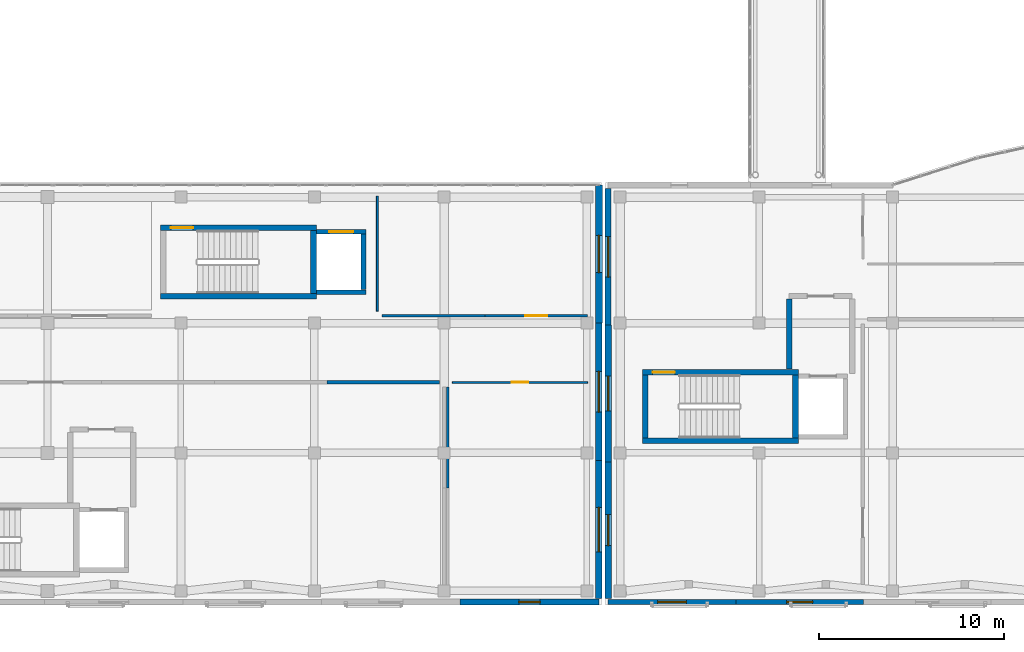
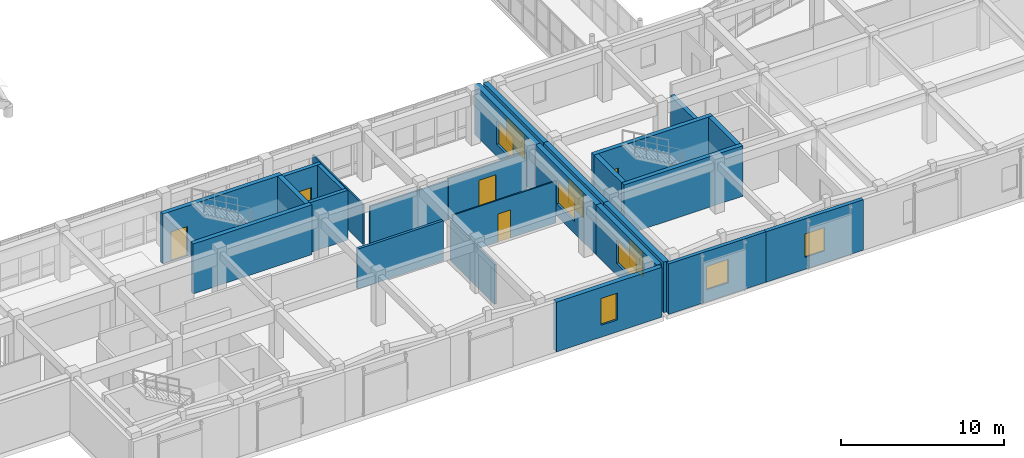
# One storey, part 131 of 146: 26 walls, 9 windows, 5 doors, 14 openings.
"""IFC4 building model written with IfcOpenShell, lengths in metres."""

from ifc_helpers import new_model, si_unit, direction, frame, frame_2d, origin, place, context, subcontext, project, spatial, rectangle, extrude, material, layer, layer_set, type_object, element, fill, save


model = new_model("IFC4")

# Units and contexts
model_context = context("Model", 3, precision=1e-05, world=origin(), true_north=direction((0.0, 1.0)))
body_context = subcontext(model_context, "Body", "Model", "MODEL_VIEW")
ifc_project = project(units=[si_unit("LENGTHUNIT", "METRE"), si_unit("AREAUNIT", "SQUARE_METRE"), si_unit("VOLUMEUNIT", "CUBIC_METRE"), si_unit("PLANEANGLEUNIT", "RADIAN"), si_unit("MASSUNIT", "GRAM", prefix="KILO")], contexts=[model_context])

# Site, building, storey
site_placement = place(None, origin())
site = spatial("IfcSite", under=ifc_project, at=site_placement, CompositionType="ELEMENT")
building_placement = place(site_placement, origin())
building = spatial("IfcBuilding", under=site, at=building_placement, Name="Valcora Specialist Clinic", CompositionType="ELEMENT")
storey_placement = place(building_placement, frame((0.0, 0.0, 9.52001953125)))
storey = spatial("IfcBuildingStorey", under=building, at=storey_placement, Name="L02", CompositionType="ELEMENT", Elevation=9.52001953125)

# Walls
ifc_material_1 = material(Name="Concrete C40/50", Category="concrete")
ifc_layer_1 = layer(ifc_material_1, 0.284912109375)
ifc_layer_set_1 = layer_set([ifc_layer_1], Name="Concrete C40/50")
wall_type_1 = type_object("IfcWallType", Name="TY-WL-CR285", PredefinedType="SHEAR", material=ifc_layer_set_1)
wall_1_placement = place(storey_placement, frame((63.419921875, 12.719970703125, 0.0), z_axis=(0.0, 0.0, 1.0), x_axis=(0.0, 1.0, 0.0)))
element("IfcWall", 1, at=wall_1_placement, inside=storey, type_object=wall_type_1, Name="Firefighting lobby west wall", PredefinedType="SHEAR", context=body_context, shape_type="SweptSolid", body=[
    extrude(rectangle(XDim=3.7900390625, YDim=0.284912109375, at=frame_2d((1.89501953125, 0.0))), origin(), (0.0, 0.0, 1.0), 3.030029296875),
])
ifc_layer_2 = layer(ifc_material_1, 0.300048828125)
ifc_layer_set_2 = layer_set([ifc_layer_2], Name="Concrete C40/50")
wall_type_2 = type_object("IfcWallType", Name="TY-WL-CR300", PredefinedType="SHEAR", material=ifc_layer_set_2)
wall_2_placement = place(storey_placement, frame((29.5, 16.64990234375, 0.0), z_axis=(0.0, 0.0, 1.0), x_axis=(1.0, 0.0, 0.0)))
element("IfcWall", 2, at=wall_2_placement, inside=storey, type_object=wall_type_2, Name="Core shear wall WL-CR-C-V5B-L02-S", PredefinedType="SHEAR", context=body_context, shape_type="SweptSolid", body=[
    extrude(rectangle(XDim=8.419921875, YDim=0.300048828125, at=frame_2d((4.2099609375, 0.0))), origin(), (0.0, 0.0, 1.0), 3.73486328125),
])

# Wall, opening, door
wall_3_placement = place(storey_placement, frame((29.5, 20.35009765625, 0.0), z_axis=(0.0, 0.0, 1.0), x_axis=(1.0, 0.0, 0.0)))
wall_3 = element("IfcWall", 3, at=wall_3_placement, inside=storey, type_object=wall_type_2, Name="Core shear wall WL-CR-C-V5B-L02-N", PredefinedType="SHEAR", context=body_context, shape_type="SweptSolid", body=[
    extrude(rectangle(XDim=8.419921875, YDim=0.300048828125, at=frame_2d((4.2099609375, 0.0))), origin(), (0.0, 0.0, 1.0), 3.73486328125),
])
opening_1_placement = place(wall_3_placement, frame((0.550048828125, 0.0, 0.0)))
opening_1 = element("IfcOpeningElement", 4, at=opening_1_placement, cuts=wall_3, Name="Opening DR-FD-120", PredefinedType="OPENING", context=body_context, shape_type="SweptSolid", body=[
    extrude(rectangle(XDim=1.199951171875, YDim=2.199951171875, at=frame_2d((0.60009765625, 1.10009765625))), frame((0.0, 0.159912109375, 0.0), z_axis=(0.0, -1.0, 0.0), x_axis=(1.0, 0.0, 0.0)), (0.0, 0.0, 1.0), 0.320068359375),
])
ifc_material_2 = material(Name="Galvanized Hollow Metal Door Steel ASTM A653", Category="steel")
door_type_1 = type_object("IfcDoorType", Name="TY-DR-ST120", OperationType="NOTDEFINED", PredefinedType="DOOR", material=ifc_material_2)
door_1_placement = place(opening_1_placement, origin())
door_1 = element("IfcDoor", 5, at=door_1_placement, inside=storey, type_object=door_type_1, Name="Exit stair fire door C-V5B L02", OperationType="SINGLE_SWING_LEFT", OverallHeight=2.199951171875, OverallWidth=1.199951171875, PredefinedType="DOOR", context=body_context, shape_type="SweptSolid", body=[
    extrude(rectangle(XDim=1.199951171875, YDim=2.199951171875, at=frame_2d((0.60009765625, 1.10009765625))), frame((0.0, 0.02490234375, 0.0), z_axis=(0.0, -1.0, 0.0), x_axis=(1.0, 0.0, 0.0)), (0.0, 0.0, 1.0), 0.050048828125),
])
fill(opening_1, door_1)

# Wall
wall_4_placement = place(storey_placement, frame((55.5, 8.85009765625, 0.0), z_axis=(0.0, 0.0, 1.0), x_axis=(1.0, 0.0, 0.0)))
element("IfcWall", 6, at=wall_4_placement, inside=storey, type_object=wall_type_2, Name="Core shear wall WL-CR-C-V6A-L02-S", PredefinedType="SHEAR", context=body_context, shape_type="SweptSolid", body=[
    extrude(rectangle(XDim=8.419921875, YDim=0.300048828125, at=frame_2d((4.2099609375, 0.0))), origin(), (0.0, 0.0, 1.0), 3.780029296875),
])

# Wall, opening, door
wall_5_placement = place(storey_placement, frame((55.5, 12.550048828125, 0.0), z_axis=(0.0, 0.0, 1.0), x_axis=(1.0, 0.0, 0.0)))
wall_5 = element("IfcWall", 7, at=wall_5_placement, inside=storey, type_object=wall_type_2, Name="Core shear wall WL-CR-C-V6A-L02-N", PredefinedType="SHEAR", context=body_context, shape_type="SweptSolid", body=[
    extrude(rectangle(XDim=8.419921875, YDim=0.300048828125, at=frame_2d((4.2099609375, 0.0))), origin(), (0.0, 0.0, 1.0), 3.780029296875),
])
opening_2_placement = place(wall_5_placement, frame((0.550048828125, 0.0, 0.0)))
opening_2 = element("IfcOpeningElement", 8, at=opening_2_placement, cuts=wall_5, Name="Opening DR-FD-120", PredefinedType="OPENING", context=body_context, shape_type="SweptSolid", body=[
    extrude(rectangle(XDim=1.199951171875, YDim=2.199951171875, at=frame_2d((0.60009765625, 1.10009765625))), frame((0.0, 0.159912109375, 0.0), z_axis=(0.0, -1.0, 0.0), x_axis=(1.0, 0.0, 0.0)), (0.0, 0.0, 1.0), 0.320068359375),
])
door_2_placement = place(opening_2_placement, origin())
door_2 = element("IfcDoor", 9, at=door_2_placement, inside=storey, type_object=door_type_1, Name="Exit stair fire door C-V6A L02", OperationType="SINGLE_SWING_LEFT", OverallHeight=2.199951171875, OverallWidth=1.199951171875, PredefinedType="DOOR", context=body_context, shape_type="SweptSolid", body=[
    extrude(rectangle(XDim=1.199951171875, YDim=2.199951171875, at=frame_2d((0.60009765625, 1.10009765625))), frame((0.0, 0.02490234375, 0.0), z_axis=(0.0, -1.0, 0.0), x_axis=(1.0, 0.0, 0.0)), (0.0, 0.0, 1.0), 0.050048828125),
])
fill(opening_2, door_2)

# Walls
wall_6_placement = place(storey_placement, frame((55.64990234375, 9.001953125, 0.0), z_axis=(0.0, 0.0, 1.0), x_axis=(0.0, 1.0, 0.0)))
element("IfcWall", 10, at=wall_6_placement, inside=storey, type_object=wall_type_2, Name="Core shear wall WL-CR-C-V6A-L02-W", PredefinedType="SHEAR", context=body_context, shape_type="SweptSolid", body=[
    extrude(rectangle(XDim=3.39599609375, YDim=0.300048828125, at=frame_2d((1.697998046875, 0.0))), origin(), (0.0, 0.0, 1.0), 3.780029296875),
])
ifc_layer_3 = layer(ifc_material_1, 0.320068359375)
ifc_layer_set_3 = layer_set([ifc_layer_3], Name="Concrete C40/50")
wall_type_3 = type_object("IfcWallType", Name="TY-WL-CR320", PredefinedType="SHEAR", material=ifc_layer_set_3)
wall_7_placement = place(storey_placement, frame((37.760009765625, 16.802001953125, 0.0), z_axis=(0.0, 0.0, 1.0), x_axis=(0.0, 1.0, 0.0)))
element("IfcWall", 11, at=wall_7_placement, inside=storey, type_object=wall_type_3, Name="Core shear wall WL-CR-C-V5B-L02-E", PredefinedType="SHEAR", context=body_context, shape_type="SweptSolid", body=[
    extrude(rectangle(XDim=3.39599609375, YDim=0.320068359375, at=frame_2d((1.697998046875, 0.0))), origin(), (0.0, 0.0, 1.0), 3.73486328125),
])
wall_8_placement = place(storey_placement, frame((63.760009765625, 9.001953125, 0.0), z_axis=(0.0, 0.0, 1.0), x_axis=(0.0, 1.0, 0.0)))
element("IfcWall", 12, at=wall_8_placement, inside=storey, type_object=wall_type_3, Name="Core shear wall WL-CR-C-V6A-L02-E", PredefinedType="SHEAR", context=body_context, shape_type="SweptSolid", body=[
    extrude(rectangle(XDim=3.39599609375, YDim=0.320068359375, at=frame_2d((1.697998046875, 0.0))), origin(), (0.0, 0.0, 1.0), 3.780029296875),
])

# Wall, opening, window
ifc_material_3 = material(Name="Extruded Jalisco Clay Brick Masonry", Category="masonry")
ifc_layer_4 = layer(ifc_material_3, 0.25)
ifc_layer_set_4 = layer_set([ifc_layer_4], Name="Extruded Jalisco Clay Brick Masonry")
wall_type_4 = type_object("IfcWallType", Name="TY-WL-EW250", PredefinedType="SOLIDWALL", material=ifc_layer_set_4)
wall_9_placement = place(storey_placement, frame((60.538818359375, 0.14990234375, 0.0), z_axis=(0.0, 0.0, 1.0), x_axis=(-1.0, 0.0, 0.0)))
wall_9 = element("IfcWall", 13, at=wall_9_placement, inside=storey, type_object=wall_type_4, Name="Exterior wall WL-EXT-L02-0359", PredefinedType="SOLIDWALL", context=body_context, shape_type="SweptSolid", body=[
    extrude(rectangle(XDim=6.888916015625, YDim=0.25, at=frame_2d((3.4443359375, 0.0))), origin(), (0.0, 0.0, 1.0), 3.780029296875),
])
opening_3_placement = place(wall_9_placement, frame((2.6689453125, 0.0, 0.89990234375)))
opening_3 = element("IfcOpeningElement", 14, at=opening_3_placement, cuts=wall_9, Name="Opening WN-15", PredefinedType="OPENING", context=body_context, shape_type="SweptSolid", body=[
    extrude(rectangle(XDim=1.550048828125, YDim=1.75, at=frame_2d((0.77490234375, 0.875))), frame((0.0, 0.135009765625, 0.0), z_axis=(0.0, -1.0, 0.0), x_axis=(1.0, 0.0, 0.0)), (0.0, 0.0, 1.0), 0.27001953125),
])
ifc_material_4 = material(Name="Low-E Laminated Insulating Glass", Category="glass")
window_type_1 = type_object("IfcWindowType", Name="TY-WN-15", PartitioningType="SINGLE_PANEL", PredefinedType="WINDOW", material=ifc_material_4)
window_1_placement = place(opening_3_placement, origin())
window_1 = element("IfcWindow", 15, at=window_1_placement, inside=storey, type_object=window_type_1, Name="Facade window WN-L02-0309", OverallHeight=1.75, OverallWidth=1.550048828125, PartitioningType="SINGLE_PANEL", PredefinedType="WINDOW", context=body_context, shape_type="SweptSolid", body=[
    extrude(rectangle(XDim=1.550048828125, YDim=1.75, at=frame_2d((0.77490234375, 0.875))), frame((0.0, 0.030029296875, 0.0), z_axis=(0.0, -1.0, 0.0), x_axis=(1.0, 0.0, 0.0)), (0.0, 0.0, 1.0), 0.06005859375),
])
fill(opening_3, window_1)

ifc_layer_5 = layer(ifc_material_3, 0.264892578125)
ifc_layer_set_5 = layer_set([ifc_layer_5], Name="Extruded Jalisco Clay Brick Masonry")
wall_type_5 = type_object("IfcWallType", Name="TY-WL-EW265", PredefinedType="SOLIDWALL", material=ifc_layer_set_5)
wall_10_placement = place(storey_placement, frame((67.427734375, 0.14990234375, 0.0), z_axis=(0.0, 0.0, 1.0), x_axis=(-1.0, 0.0, 0.0)))
wall_10 = element("IfcWall", 16, at=wall_10_placement, inside=storey, type_object=wall_type_5, Name="Exterior wall WL-EXT-L02-0358", PredefinedType="SOLIDWALL", context=body_context, shape_type="SweptSolid", body=[
    extrude(rectangle(XDim=6.888916015625, YDim=0.264892578125, at=frame_2d((3.4443359375, 0.0))), origin(), (0.0, 0.0, 1.0), 3.780029296875),
])
opening_4_placement = place(wall_10_placement, frame((2.743896484375, 0.0, 0.89990234375)))
opening_4 = element("IfcOpeningElement", 17, at=opening_4_placement, cuts=wall_10, Name="Opening WN-14", PredefinedType="OPENING", context=body_context, shape_type="SweptSolid", body=[
    extrude(rectangle(XDim=1.39990234375, YDim=1.75, at=frame_2d((0.699951171875, 0.875))), frame((0.0, 0.142333984375, 0.0), z_axis=(0.0, -1.0, 0.0), x_axis=(1.0, 0.0, 0.0)), (0.0, 0.0, 1.0), 0.284912109375),
])
window_type_2 = type_object("IfcWindowType", Name="TY-WN-14", PartitioningType="SINGLE_PANEL", PredefinedType="WINDOW", material=ifc_material_4)
window_2_placement = place(opening_4_placement, origin())
window_2 = element("IfcWindow", 18, at=window_2_placement, inside=storey, type_object=window_type_2, Name="Facade window WN-L02-0308", OverallHeight=1.75, OverallWidth=1.39990234375, PartitioningType="SINGLE_PANEL", PredefinedType="WINDOW", context=body_context, shape_type="SweptSolid", body=[
    extrude(rectangle(XDim=1.39990234375, YDim=1.75, at=frame_2d((0.699951171875, 0.875))), frame((0.0, 0.030029296875, 0.0), z_axis=(0.0, -1.0, 0.0), x_axis=(1.0, 0.0, 0.0)), (0.0, 0.0, 1.0), 0.06005859375),
])
fill(opening_4, window_2)

ifc_layer_6 = layer(ifc_material_3, 0.324951171875)
ifc_layer_set_6 = layer_set([ifc_layer_6], Name="Extruded Jalisco Clay Brick Masonry")
wall_type_6 = type_object("IfcWallType", Name="TY-WL-EW325", PredefinedType="SOLIDWALL", material=ifc_layer_set_6)
wall_11_placement = place(storey_placement, frame((53.14990234375, 0.14990234375, 0.0), z_axis=(0.0, 0.0, 1.0), x_axis=(-1.0, 0.0, 0.0)))
wall_11 = element("IfcWall", 19, at=wall_11_placement, inside=storey, type_object=wall_type_6, Name="Exterior wall WL-EXT-L02-0264", PredefinedType="SOLIDWALL", context=body_context, shape_type="SweptSolid", body=[
    extrude(rectangle(XDim=7.47998046875, YDim=0.324951171875, at=frame_2d((3.739990234375, 0.0))), origin(), (0.0, 0.0, 1.0), 3.73486328125),
])
opening_5_placement = place(wall_11_placement, frame((3.1650390625, 0.0, 0.89990234375)))
opening_5 = element("IfcOpeningElement", 20, at=opening_5_placement, cuts=wall_11, Name="Opening WN-21", PredefinedType="OPENING", context=body_context, shape_type="SweptSolid", body=[
    extrude(rectangle(XDim=1.14990234375, YDim=2.0, at=frame_2d((0.574951171875, 1.0))), frame((0.0, 0.17236328125, 0.0), z_axis=(0.0, -1.0, 0.0), x_axis=(1.0, 0.0, 0.0)), (0.0, 0.0, 1.0), 0.344970703125),
])
window_type_3 = type_object("IfcWindowType", Name="TY-WN-21", PartitioningType="SINGLE_PANEL", PredefinedType="WINDOW", material=ifc_material_4)
window_3_placement = place(opening_5_placement, origin())
window_3 = element("IfcWindow", 21, at=window_3_placement, inside=storey, type_object=window_type_3, Name="Facade window WN-L02-0231", OverallHeight=2.0, OverallWidth=1.14990234375, PartitioningType="SINGLE_PANEL", PredefinedType="WINDOW", context=body_context, shape_type="SweptSolid", body=[
    extrude(rectangle(XDim=1.14990234375, YDim=2.0, at=frame_2d((0.574951171875, 1.0))), frame((0.0, 0.030029296875, 0.0), z_axis=(0.0, -1.0, 0.0), x_axis=(1.0, 0.0, 0.0)), (0.0, 0.0, 1.0), 0.06005859375),
])
fill(opening_5, window_3)

wall_12_placement = place(storey_placement, frame((53.64990234375, 15.086669921875, 0.0), z_axis=(0.0, 0.0, 1.0), x_axis=(0.0, 1.0, 0.0)))
wall_12 = element("IfcWall", 22, at=wall_12_placement, inside=storey, type_object=wall_type_6, Name="Exterior wall WL-EXT-L02-0344", PredefinedType="SOLIDWALL", context=body_context, shape_type="SweptSolid", body=[
    extrude(rectangle(XDim=7.373291015625, YDim=0.324951171875, at=frame_2d((3.6865234375, 0.0))), origin(), (0.0, 0.0, 1.0), 3.780029296875),
])
opening_6_placement = place(wall_12_placement, frame((2.596923828125, 0.0, 0.89990234375)))
opening_6 = element("IfcOpeningElement", 23, at=opening_6_placement, cuts=wall_12, Name="Opening WN-42", PredefinedType="OPENING", context=body_context, shape_type="SweptSolid", body=[
    extrude(rectangle(XDim=2.179931640625, YDim=1.8798828125, at=frame_2d((1.08984375, 0.93994140625))), frame((0.0, 0.17236328125, 0.0), z_axis=(0.0, -1.0, 0.0), x_axis=(1.0, 0.0, 0.0)), (0.0, 0.0, 1.0), 0.344970703125),
])
window_type_4 = type_object("IfcWindowType", Name="TY-WN-42", PartitioningType="SINGLE_PANEL", PredefinedType="WINDOW", material=ifc_material_4)
window_4_placement = place(opening_6_placement, origin())
window_4 = element("IfcWindow", 24, at=window_4_placement, inside=storey, type_object=window_type_4, Name="Facade window WN-L02-0294", OverallHeight=1.8798828125, OverallWidth=2.179931640625, PartitioningType="SINGLE_PANEL", PredefinedType="WINDOW", context=body_context, shape_type="SweptSolid", body=[
    extrude(rectangle(XDim=2.179931640625, YDim=1.8798828125, at=frame_2d((1.08984375, 0.93994140625))), frame((0.0, 0.030029296875, 0.0), z_axis=(0.0, -1.0, 0.0), x_axis=(1.0, 0.0, 0.0)), (0.0, 0.0, 1.0), 0.06005859375),
])
fill(opening_6, window_4)

ifc_layer_7 = layer(ifc_material_3, 0.340087890625)
ifc_layer_set_7 = layer_set([ifc_layer_7], Name="Extruded Jalisco Clay Brick Masonry")
wall_type_7 = type_object("IfcWallType", Name="TY-WL-EW340", PredefinedType="SOLIDWALL", material=ifc_layer_set_7)
wall_13_placement = place(storey_placement, frame((53.14990234375, 7.776611328125, 0.0), z_axis=(0.0, 0.0, 1.0), x_axis=(0.0, -1.0, 0.0)))
wall_13 = element("IfcWall", 25, at=wall_13_placement, inside=storey, type_object=wall_type_7, Name="Exterior wall WL-EXT-L02-0263", PredefinedType="SOLIDWALL", context=body_context, shape_type="SweptSolid", body=[
    extrude(rectangle(XDim=7.4365234375, YDim=0.340087890625, at=frame_2d((3.71826171875, 0.0))), origin(), (0.0, 0.0, 1.0), 3.73486328125),
])
opening_7_placement = place(wall_13_placement, frame((2.51806640625, 0.0, 0.89990234375)))
opening_7 = element("IfcOpeningElement", 26, at=opening_7_placement, cuts=wall_13, Name="Opening WN-20", PredefinedType="OPENING", context=body_context, shape_type="SweptSolid", body=[
    extrude(rectangle(XDim=2.39990234375, YDim=1.75, at=frame_2d((1.199951171875, 0.875))), frame((0.0, 0.179931640625, 0.0), z_axis=(0.0, -1.0, 0.0), x_axis=(1.0, 0.0, 0.0)), (0.0, 0.0, 1.0), 0.360107421875),
])
window_type_5 = type_object("IfcWindowType", Name="TY-WN-20", PartitioningType="SINGLE_PANEL", PredefinedType="WINDOW", material=ifc_material_4)
window_5_placement = place(opening_7_placement, origin())
window_5 = element("IfcWindow", 27, at=window_5_placement, inside=storey, type_object=window_type_5, Name="Facade window WN-L02-0230", OverallHeight=1.75, OverallWidth=2.39990234375, PartitioningType="SINGLE_PANEL", PredefinedType="WINDOW", context=body_context, shape_type="SweptSolid", body=[
    extrude(rectangle(XDim=2.39990234375, YDim=1.75, at=frame_2d((1.199951171875, 0.875))), frame((0.0, 0.030029296875, 0.0), z_axis=(0.0, -1.0, 0.0), x_axis=(1.0, 0.0, 0.0)), (0.0, 0.0, 1.0), 0.06005859375),
])
fill(opening_7, window_5)

wall_14_placement = place(storey_placement, frame((53.64990234375, 7.71337890625, 0.0), z_axis=(0.0, 0.0, 1.0), x_axis=(0.0, 1.0, 0.0)))
wall_14 = element("IfcWall", 28, at=wall_14_placement, inside=storey, type_object=wall_type_7, Name="Exterior wall WL-EXT-L02-0343", PredefinedType="SOLIDWALL", context=body_context, shape_type="SweptSolid", body=[
    extrude(rectangle(XDim=7.373291015625, YDim=0.340087890625, at=frame_2d((3.6865234375, 0.0))), origin(), (0.0, 0.0, 1.0), 3.780029296875),
])
opening_8_placement = place(wall_14_placement, frame((2.7470703125, 0.0, 0.89990234375)))
opening_8 = element("IfcOpeningElement", 29, at=opening_8_placement, cuts=wall_14, Name="Opening WN-41", PredefinedType="OPENING", context=body_context, shape_type="SweptSolid", body=[
    extrude(rectangle(XDim=1.8798828125, YDim=1.8798828125, at=frame_2d((0.93994140625, 0.93994140625))), frame((0.0, 0.179931640625, 0.0), z_axis=(0.0, -1.0, 0.0), x_axis=(1.0, 0.0, 0.0)), (0.0, 0.0, 1.0), 0.360107421875),
])
window_type_6 = type_object("IfcWindowType", Name="TY-WN-41", PartitioningType="SINGLE_PANEL", PredefinedType="WINDOW", material=ifc_material_4)
window_6_placement = place(opening_8_placement, origin())
window_6 = element("IfcWindow", 30, at=window_6_placement, inside=storey, type_object=window_type_6, Name="Facade window WN-L02-0293", OverallHeight=1.8798828125, OverallWidth=1.8798828125, PartitioningType="SINGLE_PANEL", PredefinedType="WINDOW", context=body_context, shape_type="SweptSolid", body=[
    extrude(rectangle(XDim=1.8798828125, YDim=1.8798828125, at=frame_2d((0.93994140625, 0.93994140625))), frame((0.0, 0.030029296875, 0.0), z_axis=(0.0, -1.0, 0.0), x_axis=(1.0, 0.0, 0.0)), (0.0, 0.0, 1.0), 0.06005859375),
])
fill(opening_8, window_6)

ifc_layer_8 = layer(ifc_material_3, 0.35498046875)
ifc_layer_set_8 = layer_set([ifc_layer_8], Name="Extruded Jalisco Clay Brick Masonry")
wall_type_8 = type_object("IfcWallType", Name="TY-WL-EW355", PredefinedType="SOLIDWALL", material=ifc_layer_set_8)
wall_15_placement = place(storey_placement, frame((53.14990234375, 15.21337890625, 0.0), z_axis=(0.0, 0.0, 1.0), x_axis=(0.0, -1.0, 0.0)))
wall_15 = element("IfcWall", 31, at=wall_15_placement, inside=storey, type_object=wall_type_8, Name="Exterior wall WL-EXT-L02-0262", PredefinedType="SOLIDWALL", context=body_context, shape_type="SweptSolid", body=[
    extrude(rectangle(XDim=7.436767578125, YDim=0.35498046875, at=frame_2d((3.71826171875, 0.0))), origin(), (0.0, 0.0, 1.0), 3.73486328125),
])
opening_9_placement = place(wall_15_placement, frame((2.617919921875, 0.0, 0.89990234375)))
opening_9 = element("IfcOpeningElement", 32, at=opening_9_placement, cuts=wall_15, Name="Opening WN-19", PredefinedType="OPENING", context=body_context, shape_type="SweptSolid", body=[
    extrude(rectangle(XDim=2.199951171875, YDim=1.75, at=frame_2d((1.10009765625, 0.875))), frame((0.0, 0.1875, 0.0), z_axis=(0.0, -1.0, 0.0), x_axis=(1.0, 0.0, 0.0)), (0.0, 0.0, 1.0), 0.375),
])
window_type_7 = type_object("IfcWindowType", Name="TY-WN-19", PartitioningType="SINGLE_PANEL", PredefinedType="WINDOW", material=ifc_material_4)
window_7_placement = place(opening_9_placement, origin())
window_7 = element("IfcWindow", 33, at=window_7_placement, inside=storey, type_object=window_type_7, Name="Facade window WN-L02-0229", OverallHeight=1.75, OverallWidth=2.199951171875, PartitioningType="SINGLE_PANEL", PredefinedType="WINDOW", context=body_context, shape_type="SweptSolid", body=[
    extrude(rectangle(XDim=2.199951171875, YDim=1.75, at=frame_2d((1.10009765625, 0.875))), frame((0.0, 0.030029296875, 0.0), z_axis=(0.0, -1.0, 0.0), x_axis=(1.0, 0.0, 0.0)), (0.0, 0.0, 1.0), 0.06005859375),
])
fill(opening_9, window_7)

wall_16_placement = place(storey_placement, frame((53.64990234375, 0.340087890625, 0.0), z_axis=(0.0, 0.0, 1.0), x_axis=(0.0, 1.0, 0.0)))
wall_16 = element("IfcWall", 34, at=wall_16_placement, inside=storey, type_object=wall_type_8, Name="Exterior wall WL-EXT-L02-0342", PredefinedType="SOLIDWALL", context=body_context, shape_type="SweptSolid", body=[
    extrude(rectangle(XDim=7.373291015625, YDim=0.35498046875, at=frame_2d((3.6865234375, 0.0))), origin(), (0.0, 0.0, 1.0), 3.780029296875),
])
opening_10_placement = place(wall_16_placement, frame((2.846923828125, 0.0, 0.89990234375)))
opening_10 = element("IfcOpeningElement", 35, at=opening_10_placement, cuts=wall_16, Name="Opening WN-40", PredefinedType="OPENING", context=body_context, shape_type="SweptSolid", body=[
    extrude(rectangle(XDim=1.679931640625, YDim=1.8798828125, at=frame_2d((0.83984375, 0.93994140625))), frame((0.0, 0.1875, 0.0), z_axis=(0.0, -1.0, 0.0), x_axis=(1.0, 0.0, 0.0)), (0.0, 0.0, 1.0), 0.375),
])
window_type_8 = type_object("IfcWindowType", Name="TY-WN-40", PartitioningType="SINGLE_PANEL", PredefinedType="WINDOW", material=ifc_material_4)
window_8_placement = place(opening_10_placement, origin())
window_8 = element("IfcWindow", 36, at=window_8_placement, inside=storey, type_object=window_type_8, Name="Facade window WN-L02-0292", OverallHeight=1.8798828125, OverallWidth=1.679931640625, PartitioningType="SINGLE_PANEL", PredefinedType="WINDOW", context=body_context, shape_type="SweptSolid", body=[
    extrude(rectangle(XDim=1.679931640625, YDim=1.8798828125, at=frame_2d((0.83984375, 0.93994140625))), frame((0.0, 0.030029296875, 0.0), z_axis=(0.0, -1.0, 0.0), x_axis=(1.0, 0.0, 0.0)), (0.0, 0.0, 1.0), 0.06005859375),
])
fill(opening_10, window_8)

ifc_layer_9 = layer(ifc_material_3, 0.3701171875)
ifc_layer_set_9 = layer_set([ifc_layer_9], Name="Extruded Jalisco Clay Brick Masonry")
wall_type_9 = type_object("IfcWallType", Name="TY-WL-EW370", PredefinedType="SOLIDWALL", material=ifc_layer_set_9)
wall_17_placement = place(storey_placement, frame((53.14990234375, 22.64990234375, 0.0), z_axis=(0.0, 0.0, 1.0), x_axis=(0.0, -1.0, 0.0)))
wall_17 = element("IfcWall", 37, at=wall_17_placement, inside=storey, type_object=wall_type_9, Name="Exterior wall WL-EXT-L02-0261", PredefinedType="SOLIDWALL", context=body_context, shape_type="SweptSolid", body=[
    extrude(rectangle(XDim=7.4365234375, YDim=0.3701171875, at=frame_2d((3.71826171875, 0.0))), origin(), (0.0, 0.0, 1.0), 3.73486328125),
])
opening_11_placement = place(wall_17_placement, frame((2.718017578125, 0.0, 0.89990234375)))
opening_11 = element("IfcOpeningElement", 38, at=opening_11_placement, cuts=wall_17, Name="Opening WN-18", PredefinedType="OPENING", context=body_context, shape_type="SweptSolid", body=[
    extrude(rectangle(XDim=2.0, YDim=1.75, at=frame_2d((1.0, 0.875))), frame((0.0, 0.195068359375, 0.0), z_axis=(0.0, -1.0, 0.0), x_axis=(1.0, 0.0, 0.0)), (0.0, 0.0, 1.0), 0.39013671875),
])
window_type_9 = type_object("IfcWindowType", Name="TY-WN-18", PartitioningType="SINGLE_PANEL", PredefinedType="WINDOW", material=ifc_material_4)
window_9_placement = place(opening_11_placement, origin())
window_9 = element("IfcWindow", 39, at=window_9_placement, inside=storey, type_object=window_type_9, Name="Facade window WN-L02-0228", OverallHeight=1.75, OverallWidth=2.0, PartitioningType="SINGLE_PANEL", PredefinedType="WINDOW", context=body_context, shape_type="SweptSolid", body=[
    extrude(rectangle(XDim=2.0, YDim=1.75, at=frame_2d((1.0, 0.875))), frame((0.0, 0.030029296875, 0.0), z_axis=(0.0, -1.0, 0.0), x_axis=(1.0, 0.0, 0.0)), (0.0, 0.0, 1.0), 0.06005859375),
])
fill(opening_11, window_9)

# Wall, opening, door
ifc_material_5 = material(Name="Gypsum Board Partition Assembly")
ifc_layer_10 = layer(ifc_material_5, 0.094970703125)
ifc_layer_set_10 = layer_set([ifc_layer_10], Name="Gypsum Board Partition Assembly")
wall_type_10 = type_object("IfcWallType", Name="TY-WL-PT095", PredefinedType="PARTITIONING", material=ifc_layer_set_10)
wall_18_placement = place(storey_placement, frame((45.25, 12.0, 0.0), z_axis=(0.0, 0.0, 1.0), x_axis=(1.0, 0.0, 0.0)))
wall_18 = element("IfcWall", 40, at=wall_18_placement, inside=storey, type_object=wall_type_10, Name="Interior partition WL-INT-L02-0353", PredefinedType="PARTITIONING", context=body_context, shape_type="SweptSolid", body=[
    extrude(rectangle(XDim=7.300048828125, YDim=0.094970703125, at=frame_2d((3.64990234375, 0.0))), origin(), (0.0, 0.0, 1.0), 3.135009765625),
])
opening_12_placement = place(wall_18_placement, frame((3.2099609375, 0.0, 0.0)))
opening_12 = element("IfcOpeningElement", 41, at=opening_12_placement, cuts=wall_18, Name="Opening DR-WC-088", PredefinedType="OPENING", context=body_context, shape_type="SweptSolid", body=[
    extrude(rectangle(XDim=0.8798828125, YDim=2.10009765625, at=frame_2d((0.43994140625, 1.050048828125))), frame((0.0, 0.057373046875, 0.0), z_axis=(0.0, -1.0, 0.0), x_axis=(1.0, 0.0, 0.0)), (0.0, 0.0, 1.0), 0.114990234375),
])
ifc_material_6 = material(Name="Glulam Conifer Class 24F", Category="wood")
door_type_2 = type_object("IfcDoorType", Name="TY-DR-WC088", OperationType="NOTDEFINED", PredefinedType="DOOR", material=ifc_material_6)
door_3_placement = place(opening_12_placement, origin())
door_3 = element("IfcDoor", 42, at=door_3_placement, inside=storey, type_object=door_type_2, Name="Interior door DR-INT-L02-0099", OperationType="SINGLE_SWING_LEFT", OverallHeight=2.10009765625, OverallWidth=0.8798828125, PredefinedType="DOOR", context=body_context, shape_type="SweptSolid", body=[
    extrude(rectangle(XDim=0.8798828125, YDim=2.10009765625, at=frame_2d((0.43994140625, 1.050048828125))), frame((0.0, 0.02490234375, 0.0), z_axis=(0.0, -1.0, 0.0), x_axis=(1.0, 0.0, 0.0)), (0.0, 0.0, 1.0), 0.050048828125),
])
fill(opening_12, door_3)

# Walls
ifc_layer_11 = layer(ifc_material_5, 0.10498046875)
ifc_layer_set_11 = layer_set([ifc_layer_11], Name="Gypsum Board Partition Assembly")
wall_type_11 = type_object("IfcWallType", Name="TY-WL-PT105", PredefinedType="PARTITIONING", material=ifc_layer_set_11)
wall_19_placement = place(storey_placement, frame((41.199951171875, 15.85009765625, 0.0), z_axis=(0.0, 0.0, 1.0), x_axis=(0.0, 1.0, 0.0)))
element("IfcWall", 43, at=wall_19_placement, inside=storey, type_object=wall_type_11, Name="Interior partition WL-INT-L02-0358", PredefinedType="PARTITIONING", context=body_context, shape_type="SweptSolid", body=[
    extrude(rectangle(XDim=6.199951171875, YDim=0.10498046875, at=frame_2d((3.10009765625, 0.0))), origin(), (0.0, 0.0, 1.0), 2.98486328125),
])
ifc_layer_12 = layer(ifc_material_5, 0.114990234375)
ifc_layer_set_12 = layer_set([ifc_layer_12], Name="Gypsum Board Partition Assembly")
wall_type_12 = type_object("IfcWallType", Name="TY-WL-PT115", PredefinedType="PARTITIONING", material=ifc_layer_set_12)
wall_20_placement = place(storey_placement, frame((47.0, 15.60009765625, 0.0), z_axis=(0.0, 0.0, 1.0), x_axis=(-1.0, 0.0, 0.0)))
element("IfcWall", 44, at=wall_20_placement, inside=storey, type_object=wall_type_12, Name="Interior partition WL-INT-L02-0357", PredefinedType="PARTITIONING", context=body_context, shape_type="SweptSolid", body=[
    extrude(rectangle(XDim=5.550048828125, YDim=0.114990234375, at=frame_2d((2.77490234375, 0.0))), origin(), (0.0, 0.0, 1.0), 2.93505859375),
])

# Wall, opening, door
ifc_layer_13 = layer(ifc_material_5, 0.125)
ifc_layer_set_13 = layer_set([ifc_layer_13], Name="Gypsum Board Partition Assembly")
wall_type_13 = type_object("IfcWallType", Name="TY-WL-PT125", PredefinedType="PARTITIONING", material=ifc_layer_set_13)
wall_21_placement = place(storey_placement, frame((52.550048828125, 15.60009765625, 0.0), z_axis=(0.0, 0.0, 1.0), x_axis=(-1.0, 0.0, 0.0)))
wall_21 = element("IfcWall", 45, at=wall_21_placement, inside=storey, type_object=wall_type_13, Name="Interior partition WL-INT-L02-0356", PredefinedType="PARTITIONING", context=body_context, shape_type="SweptSolid", body=[
    extrude(rectangle(XDim=5.550048828125, YDim=0.125, at=frame_2d((2.77490234375, 0.0))), origin(), (0.0, 0.0, 1.0), 3.0849609375),
])
opening_13_placement = place(wall_21_placement, frame((2.18505859375, 0.0, 0.0)))
opening_13 = element("IfcOpeningElement", 46, at=opening_13_placement, cuts=wall_21, Name="Opening DR-CN-118", PredefinedType="OPENING", context=body_context, shape_type="SweptSolid", body=[
    extrude(rectangle(XDim=1.179931640625, YDim=2.199951171875, at=frame_2d((0.58984375, 1.10009765625))), frame((0.0, 0.072509765625, 0.0), z_axis=(0.0, -1.0, 0.0), x_axis=(1.0, 0.0, 0.0)), (0.0, 0.0, 1.0), 0.14501953125),
])
door_type_3 = type_object("IfcDoorType", Name="TY-DR-CN118", OperationType="NOTDEFINED", PredefinedType="DOOR", material=ifc_material_6)
door_4_placement = place(opening_13_placement, origin())
door_4 = element("IfcDoor", 47, at=door_4_placement, inside=storey, type_object=door_type_3, Name="Interior door DR-INT-L02-0100", OperationType="SINGLE_SWING_RIGHT", OverallHeight=2.199951171875, OverallWidth=1.179931640625, PredefinedType="DOOR", context=body_context, shape_type="SweptSolid", body=[
    extrude(rectangle(XDim=1.179931640625, YDim=2.199951171875, at=frame_2d((0.58984375, 1.10009765625))), frame((0.0, 0.02490234375, 0.0), z_axis=(0.0, -1.0, 0.0), x_axis=(1.0, 0.0, 0.0)), (0.0, 0.0, 1.0), 0.050048828125),
])
fill(opening_13, door_4)

# Walls
ifc_layer_14 = layer(ifc_material_5, 0.135009765625)
ifc_layer_set_14 = layer_set([ifc_layer_14], Name="Gypsum Board Partition Assembly")
wall_type_14 = type_object("IfcWallType", Name="TY-WL-PT135", PredefinedType="PARTITIONING", material=ifc_layer_set_14)
wall_22_placement = place(storey_placement, frame((45.0, 6.300048828125, 0.0), z_axis=(0.0, 0.0, 1.0), x_axis=(0.0, 1.0, 0.0)))
element("IfcWall", 48, at=wall_22_placement, inside=storey, type_object=wall_type_14, Name="Interior partition WL-INT-L02-0355", PredefinedType="PARTITIONING", context=body_context, shape_type="SweptSolid", body=[
    extrude(rectangle(XDim=5.449951171875, YDim=0.135009765625, at=frame_2d((2.72509765625, 0.0))), origin(), (0.0, 0.0, 1.0), 2.98486328125),
])
ifc_layer_15 = layer(ifc_material_5, 0.18505859375)
ifc_layer_set_15 = layer_set([ifc_layer_15], Name="Gypsum Board Partition Assembly")
wall_type_15 = type_object("IfcWallType", Name="TY-WL-PT185", PredefinedType="PARTITIONING", material=ifc_layer_set_15)
wall_23_placement = place(storey_placement, frame((38.47509765625, 12.0, 0.0), z_axis=(0.0, 0.0, 1.0), x_axis=(1.0, 0.0, 0.0)))
element("IfcWall", 49, at=wall_23_placement, inside=storey, type_object=wall_type_15, Name="Interior partition WL-INT-L02-0349", PredefinedType="PARTITIONING", context=body_context, shape_type="SweptSolid", body=[
    extrude(rectangle(XDim=6.074951171875, YDim=0.18505859375, at=frame_2d((3.03759765625, 0.0))), origin(), (0.0, 0.0, 1.0), 2.98486328125),
])
ifc_layer_16 = layer(ifc_material_1, 0.260009765625)
ifc_layer_set_16 = layer_set([ifc_layer_16], Name="Concrete C40/50")
wall_type_16 = type_object("IfcWallType", Name="TY-WL-SH260", PredefinedType="SHEAR", material=ifc_layer_set_16)
wall_24_placement = place(storey_placement, frame((37.922119140625, 16.8701171875, 0.0), z_axis=(0.0, 0.0, 1.0), x_axis=(1.0, 0.0, 0.0)))
element("IfcWall", 50, at=wall_24_placement, inside=storey, type_object=wall_type_16, Name="Lift shaft wall WL-LF-LF-06-L02-LS", PredefinedType="SHEAR", context=body_context, shape_type="SweptSolid", body=[
    extrude(rectangle(XDim=2.657958984375, YDim=0.260009765625, at=frame_2d((1.3291015625, 0.0))), origin(), (0.0, 0.0, 1.0), 3.73486328125),
])

# Wall, opening, door
wall_25_placement = place(storey_placement, frame((37.922119140625, 20.1298828125, 0.0), z_axis=(0.0, 0.0, 1.0), x_axis=(1.0, 0.0, 0.0)))
wall_25 = element("IfcWall", 51, at=wall_25_placement, inside=storey, type_object=wall_type_16, Name="Lift shaft wall WL-LF-LF-06-L02-LN", PredefinedType="SHEAR", context=body_context, shape_type="SweptSolid", body=[
    extrude(rectangle(XDim=2.657958984375, YDim=0.260009765625, at=frame_2d((1.3291015625, 0.0))), origin(), (0.0, 0.0, 1.0), 3.73486328125),
])
opening_14_placement = place(wall_25_placement, frame((0.678955078125, 0.0, 0.0)))
opening_14 = element("IfcOpeningElement", 52, at=opening_14_placement, cuts=wall_25, Name="Opening LD-130", PredefinedType="OPENING", context=body_context, shape_type="SweptSolid", body=[
    extrude(rectangle(XDim=1.300048828125, YDim=2.199951171875, at=frame_2d((0.64990234375, 1.10009765625))), frame((0.0, 0.139892578125, 0.0), z_axis=(0.0, -1.0, 0.0), x_axis=(1.0, 0.0, 0.0)), (0.0, 0.0, 1.0), 0.280029296875),
])
ifc_material_7 = material(Name="Stainless Steel AISI 316", Category="steel")
door_type_4 = type_object("IfcDoorType", Name="TY-LD-130", OperationType="NOTDEFINED", PredefinedType="DOOR", material=ifc_material_7)
door_5_placement = place(opening_14_placement, origin())
door_5 = element("IfcDoor", 53, at=door_5_placement, inside=storey, type_object=door_type_4, Name="Lift landing sliding door LF-06 L02", OperationType="SLIDING_TO_LEFT", OverallHeight=2.199951171875, OverallWidth=1.300048828125, PredefinedType="DOOR", context=body_context, shape_type="SweptSolid", body=[
    extrude(rectangle(XDim=1.300048828125, YDim=2.199951171875, at=frame_2d((0.64990234375, 1.10009765625))), frame((0.0, 0.02490234375, 0.0), z_axis=(0.0, -1.0, 0.0), x_axis=(1.0, 0.0, 0.0)), (0.0, 0.0, 1.0), 0.050048828125),
])
fill(opening_14, door_5)

# Wall
wall_26_placement = place(storey_placement, frame((40.449951171875, 17.001953125, 0.0), z_axis=(0.0, 0.0, 1.0), x_axis=(0.0, 1.0, 0.0)))
element("IfcWall", 54, at=wall_26_placement, inside=storey, type_object=wall_type_16, Name="Lift shaft wall WL-LF-LF-06-L02-LE", PredefinedType="SHEAR", context=body_context, shape_type="SweptSolid", body=[
    extrude(rectangle(XDim=2.99609375, YDim=0.260009765625, at=frame_2d((1.498046875, 0.0))), origin(), (0.0, 0.0, 1.0), 3.73486328125),
])

save(model, "model.ifc")
